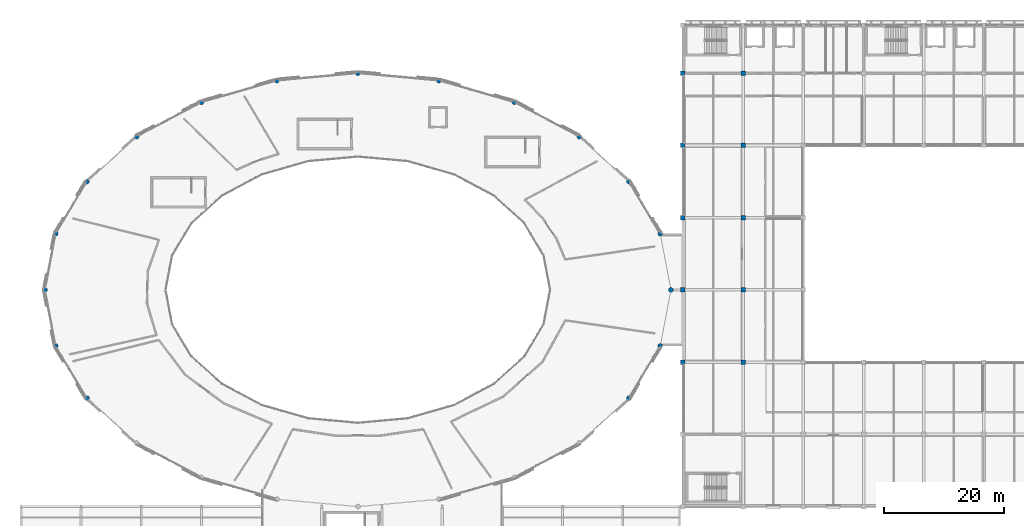
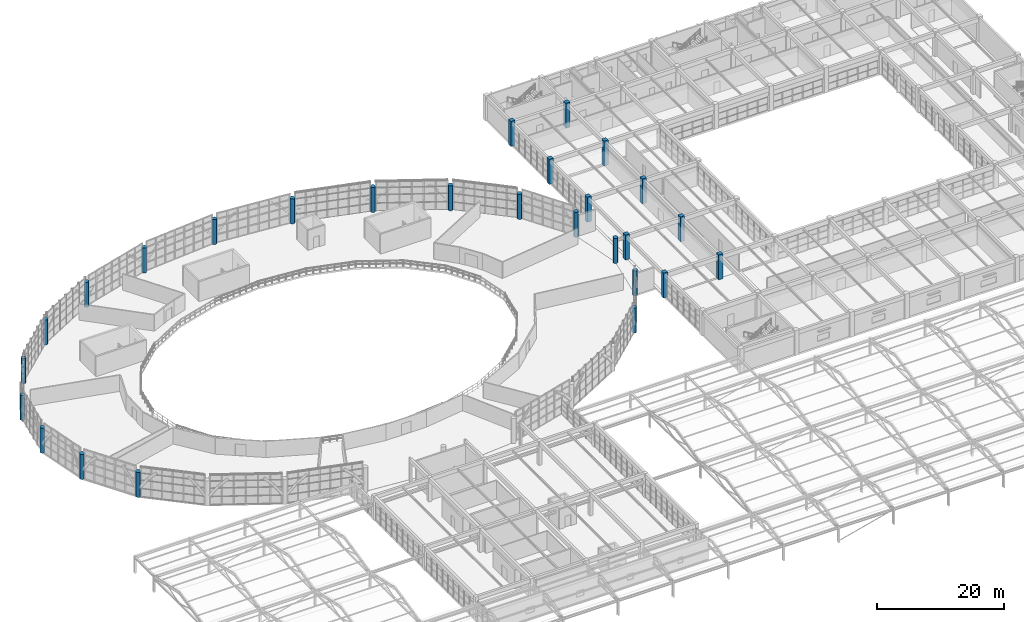
# One storey, part 9 of 109: 27 columns.
"""IFC4 building model written with IfcOpenShell, lengths in metres."""

from ifc_helpers import new_model, si_unit, direction, frame, origin, origin_2d, place, context, subcontext, project, spatial, rectangle, circle, extrude, material, material_profile, profile_set, type_object, element, save


model = new_model("IFC4")

# Units and contexts
model_context = context("Model", 3, precision=1e-05, world=origin(), true_north=direction((0.0, 1.0)))
body_context = subcontext(model_context, "Body", "Model", "MODEL_VIEW")
ifc_project = project(units=[si_unit("LENGTHUNIT", "METRE"), si_unit("AREAUNIT", "SQUARE_METRE"), si_unit("VOLUMEUNIT", "CUBIC_METRE"), si_unit("PLANEANGLEUNIT", "RADIAN"), si_unit("MASSUNIT", "GRAM", prefix="KILO")], contexts=[model_context])

# Site, building, storey
site_placement = place(None, origin())
site = spatial("IfcSite", under=ifc_project, at=site_placement, CompositionType="ELEMENT")
building_placement = place(site_placement, origin())
building = spatial("IfcBuilding", under=site, at=building_placement, Name="Kivolera Central Railway Station", CompositionType="ELEMENT")
storey_placement = place(building_placement, frame((0.0, 0.0, 9.60009765625)))
storey = spatial("IfcBuildingStorey", under=building, at=storey_placement, Name="L02", CompositionType="ELEMENT", Elevation=9.60009765625)

# Columns
ifc_material = material(Name="Concrete C40/50", Category="concrete")
ifc_material_profile_1 = material_profile(ifc_material, rectangle(XDim=0.75, YDim=0.75, at=origin_2d()), Name="RC 750x750")
ifc_profile_set_1 = profile_set([ifc_material_profile_1], Name="Concrete C40/50")
column_type_1 = type_object("IfcColumnType", Name="COL-RC-750", PredefinedType="COLUMN", material=ifc_profile_set_1)
for number, where, z_axis, x_axis, name in (
    (1, (118.0, 78.0, 0.0), (0.0, 0.0, 1.0), (1.0, 0.0, 0.0), "L02 Wing Column 12-G"),
    (2, (118.0, 90.0, 0.0), (0.0, 0.0, 1.0), (1.0, 0.0, 0.0), "L02 Wing Column 12-H"),
    (3, (118.0, 102.0, 0.0), (0.0, 0.0, 1.0), (1.0, 0.0, 0.0), "L02 Wing Column 12-J"),
    (4, (118.0, 114.0, 0.0), (0.0, 0.0, 1.0), (1.0, 0.0, 0.0), "L02 Wing Column 12-K"),
    (5, (118.0, 126.0, 0.0), (0.0, 0.0, 1.0), (1.0, 0.0, 0.0), "L02 Wing Column 12-L"),
    (6, (128.0, 78.0, 0.0), (0.0, 0.0, 1.0), (1.0, 0.0, 0.0), "L02 Wing Column 13-G"),
    (7, (128.0, 90.0, 0.0), (0.0, 0.0, 1.0), (1.0, 0.0, 0.0), "L02 Wing Column 13-H"),
    (8, (128.0, 102.0, 0.0), (0.0, 0.0, 1.0), (1.0, 0.0, 0.0), "L02 Wing Column 13-J"),
    (9, (128.0, 114.0, 0.0), (0.0, 0.0, 1.0), (1.0, 0.0, 0.0), "L02 Wing Column 13-K"),
    (10, (128.0, 126.0, 0.0), (0.0, 0.0, 1.0), (1.0, 0.0, 0.0), "L02 Wing Column 13-L"),
):
    element("IfcColumn", number, at=place(storey_placement, frame(where, z_axis=z_axis, x_axis=x_axis)), inside=storey, type_object=column_type_1, Name=name, PredefinedType="COLUMN", context=body_context, shape_type="SweptSolid", body=[
        extrude(rectangle(XDim=0.75, YDim=0.75, at=origin_2d()), origin(), (0.0, 0.0, 1.0), 4.7998046875),
    ])
ifc_material_profile_2 = material_profile(ifc_material, circle(Radius=0.39990234375, at=origin_2d()), Name="RC D800")
ifc_profile_set_2 = profile_set([ifc_material_profile_2], Name="Concrete C40/50")
column_type_2 = type_object("IfcColumnType", Name="COL-RC-D800", PredefinedType="COLUMN", material=ifc_profile_set_2)
for number, where, z_axis, x_axis, name in (
    (11, (116.0, 90.0, 0.0), (0.0, 0.0, 1.0), (1.0, 0.0, 0.0), "L02 Oval Drum Perimeter Column P01"),
    (12, (114.22802734375, 99.31689453125, 0.0), (0.0, 0.0, 1.0), (1.0, 0.0, 0.0), "L02 Oval Drum Perimeter Column P02"),
    (13, (109.032958984375, 108.0, 0.0), (0.0, 0.0, 1.0), (1.0, 0.0, 0.0), "L02 Oval Drum Perimeter Column P03"),
    (14, (100.77001953125, 115.4560546875, 0.0), (0.0, 0.0, 1.0), (1.0, 0.0, 0.0), "L02 Oval Drum Perimeter Column P04"),
    (15, (90.0, 121.177001953125, 0.0), (0.0, 0.0, 1.0), (1.0, 0.0, 0.0), "L02 Oval Drum Perimeter Column P05"),
    (16, (77.458984375, 124.77294921875, 0.0), (0.0, 0.0, 1.0), (1.0, 0.0, 0.0), "L02 Oval Drum Perimeter Column P06"),
    (17, (64.0, 126.0, 0.0), (0.0, 0.0, 1.0), (1.0, 0.0, 0.0), "L02 Oval Drum Perimeter Column P07"),
    (18, (50.541015625, 124.77294921875, 0.0), (0.0, 0.0, 1.0), (1.0, 0.0, 0.0), "L02 Oval Drum Perimeter Column P08"),
    (19, (38.0, 121.177001953125, 0.0), (0.0, 0.0, 1.0), (1.0, 0.0, 0.0), "L02 Oval Drum Perimeter Column P09"),
    (20, (27.22998046875, 115.4560546875, 0.0), (0.0, 0.0, 1.0), (1.0, 0.0, 0.0), "L02 Oval Drum Perimeter Column P10"),
    (21, (18.967041015625, 108.0, 0.0), (0.0, 0.0, 1.0), (1.0, 0.0, 0.0), "L02 Oval Drum Perimeter Column P11"),
    (22, (13.77197265625, 99.31689453125, 0.0), (0.0, 0.0, 1.0), (1.0, 0.0, 0.0), "L02 Oval Drum Perimeter Column P12"),
    (23, (12.0, 90.0, 0.0), (0.0, 0.0, 1.0), (1.0, 0.0, 0.0), "L02 Oval Drum Perimeter Column P13"),
    (24, (13.77197265625, 80.68310546875, 0.0), (0.0, 0.0, 1.0), (1.0, 0.0, 0.0), "L02 Oval Drum Perimeter Column P14"),
    (25, (18.967041015625, 72.0, 0.0), (0.0, 0.0, 1.0), (1.0, 0.0, 0.0), "L02 Oval Drum Perimeter Column P15"),
    (26, (109.032958984375, 72.0, 0.0), (0.0, 0.0, 1.0), (1.0, 0.0, 0.0), "L02 Oval Drum Perimeter Column P23"),
    (27, (114.22802734375, 80.68310546875, 0.0), (0.0, 0.0, 1.0), (1.0, 0.0, 0.0), "L02 Oval Drum Perimeter Column P24"),
):
    element("IfcColumn", number, at=place(storey_placement, frame(where, z_axis=z_axis, x_axis=x_axis)), inside=storey, type_object=column_type_2, Name=name, PredefinedType="COLUMN", context=body_context, shape_type="SweptSolid", body=[
        extrude(circle(Radius=0.39990234375, at=origin_2d()), origin(), (0.0, 0.0, 1.0), 4.7998046875),
    ])

save(model, "model.ifc")
